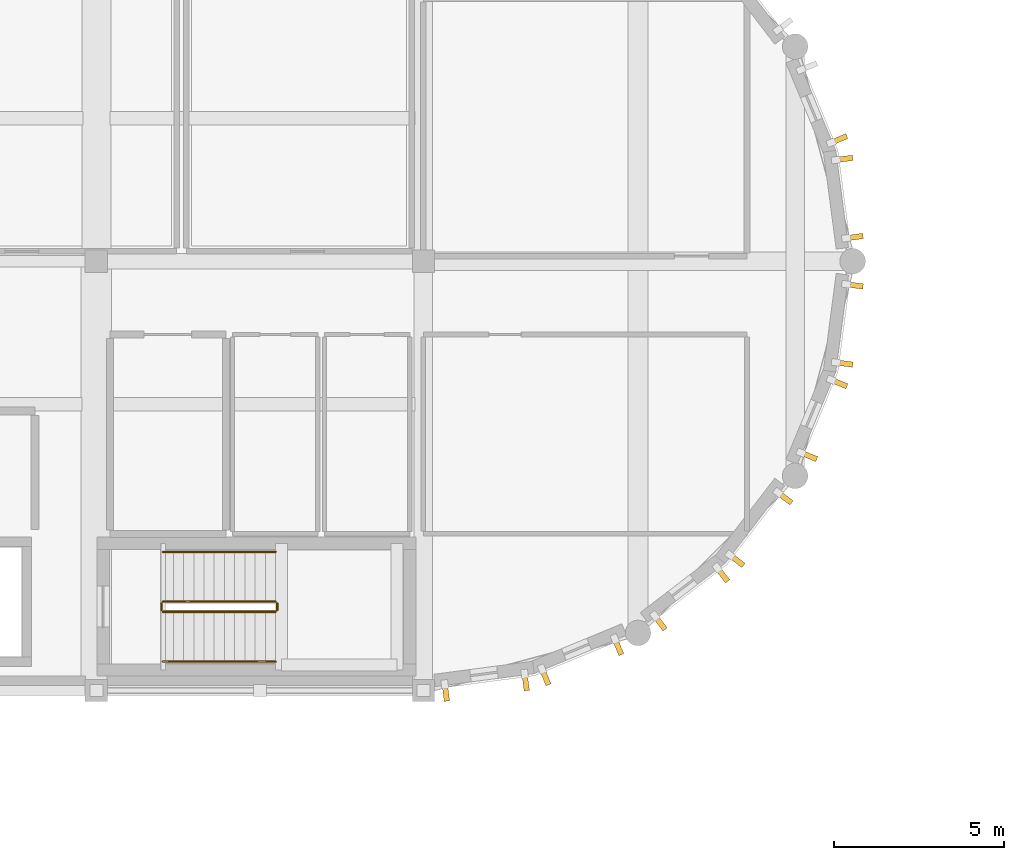
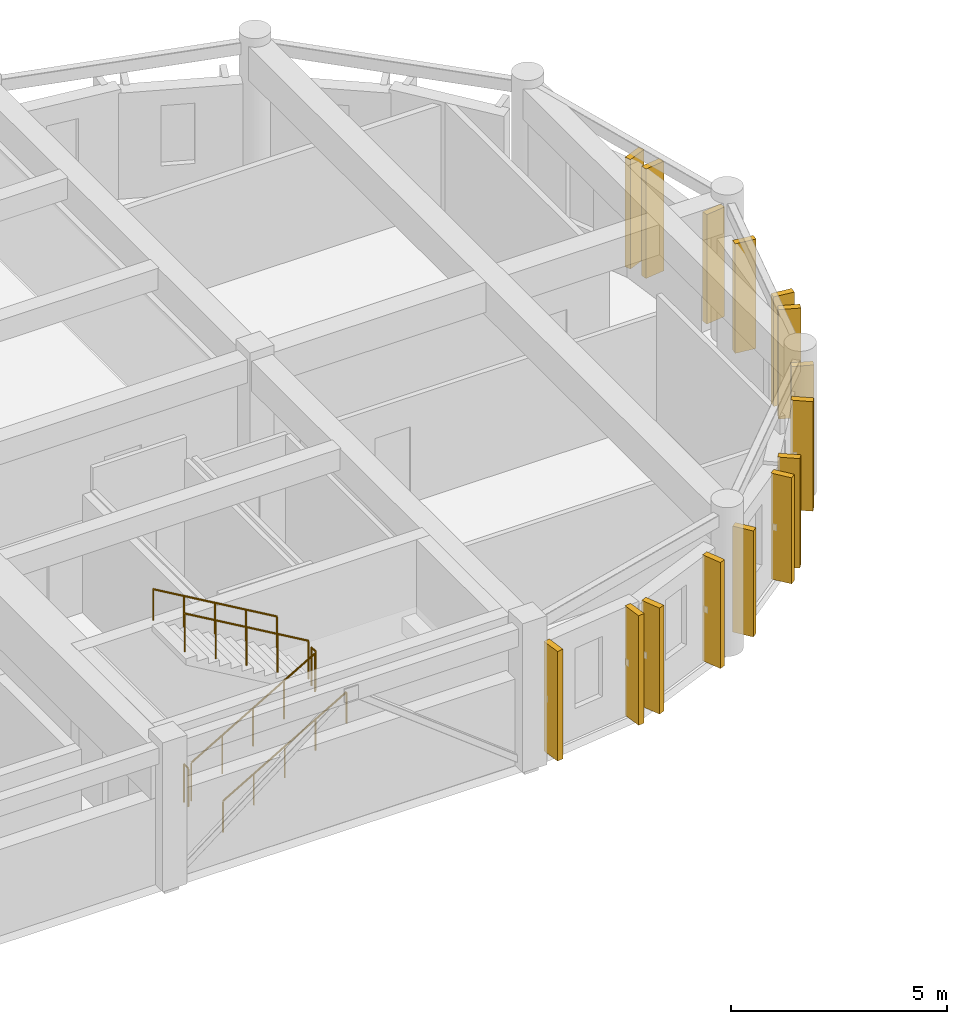
# One storey, part 27 of 31: 15 coverings, 6 railings.
"""IFC4 building model written with IfcOpenShell, lengths in metres."""

from ifc_helpers import new_model, si_unit, direction, frame, origin, origin_2d, place, context, subcontext, project, spatial, rectangle, circle, extrude, material, layer, layer_set, type_object, element, save


model = new_model("IFC4")

# Units and contexts
model_context = context("Model", 3, precision=1e-05, world=origin(), true_north=direction((0.0, 1.0)))
body_context = subcontext(model_context, "Body", "Model", "MODEL_VIEW")
ifc_project = project(units=[si_unit("LENGTHUNIT", "METRE"), si_unit("AREAUNIT", "SQUARE_METRE"), si_unit("VOLUMEUNIT", "CUBIC_METRE"), si_unit("PLANEANGLEUNIT", "RADIAN"), si_unit("MASSUNIT", "GRAM", prefix="KILO")], contexts=[model_context])

# Site, building, storey
site_placement = place(None, origin())
site = spatial("IfcSite", under=ifc_project, at=site_placement, CompositionType="ELEMENT")
building_placement = place(site_placement, origin())
building = spatial("IfcBuilding", under=site, at=building_placement, Name="Tarnavel Promenade Courthouse", CompositionType="ELEMENT")
storey_placement = place(building_placement, frame((0.0, 0.0, 18.60009765625)))
storey = spatial("IfcBuildingStorey", under=building, at=storey_placement, Name="L05", CompositionType="ELEMENT", Elevation=18.60009765625)

# Railings
ifc_material_1 = material(Name="Brushed Bronze Tubular Stair Handrail")
railing_type_1 = type_object("IfcRailingType", Name="Brushed Bronze Tubular Stair Handrail (RL-HND-0900)", PredefinedType="HANDRAIL", material=ifc_material_1)
railing_1_placement = place(storey_placement, frame((94.360107421875, 80.050048828125, 0.1748046875)))
element("IfcRailing", 1, at=railing_1_placement, inside=storey, type_object=railing_type_1, Name="L05 ST-02 stair handrail 1", PredefinedType="HANDRAIL", context=body_context, shape_type="SweptSolid", body=[
    extrude(circle(Radius=0.02392578125, at=origin_2d()), frame((0.0, 0.0, 0.8759765625), z_axis=(0.863760357493, 0.0, 0.503902812876), x_axis=(0.0, 1.0, 0.0)), (0.0, 0.0, 1.0), 3.8203125),
    extrude(circle(Radius=0.02099609375, at=origin_2d()), origin(), (0.0, 0.0, 1.0), 0.851806640625),
    extrude(circle(Radius=0.02099609375, at=origin_2d()), frame((0.824951171875, 0.0, 0.481201171875)), (0.0, 0.0, 1.0), 0.851806640625),
    extrude(circle(Radius=0.02099609375, at=origin_2d()), frame((1.64990234375, 0.0, 0.96240234375)), (0.0, 0.0, 1.0), 0.851806640625),
    extrude(circle(Radius=0.02099609375, at=origin_2d()), frame((2.474853515625, 0.0, 1.44384765625)), (0.0, 0.0, 1.0), 0.851806640625),
    extrude(circle(Radius=0.02099609375, at=origin_2d()), frame((3.2998046875, 0.0, 1.925048828125)), (0.0, 0.0, 1.0), 0.851806640625),
])
railing_2_placement = place(storey_placement, frame((97.659912109375, 83.27001953125, 2.27490234375)))
element("IfcRailing", 2, at=railing_2_placement, inside=storey, type_object=railing_type_1, Name="L05 ST-02 stair handrail 2", PredefinedType="HANDRAIL", context=body_context, shape_type="SweptSolid", body=[
    extrude(circle(Radius=0.02392578125, at=origin_2d()), frame((0.0, 0.0, 0.8759765625), z_axis=(-0.863760357493, 0.0, 0.503902812876), x_axis=(0.0, -1.0, 0.0)), (0.0, 0.0, 1.0), 3.8203125),
    extrude(circle(Radius=0.02099609375, at=origin_2d()), origin(), (0.0, 0.0, 1.0), 0.851806640625),
    extrude(circle(Radius=0.02099609375, at=origin_2d()), frame((-0.824951171875, 0.0, 0.481201171875)), (0.0, 0.0, 1.0), 0.851806640625),
    extrude(circle(Radius=0.02099609375, at=origin_2d()), frame((-1.64990234375, 0.0, 0.96240234375)), (0.0, 0.0, 1.0), 0.851806640625),
    extrude(circle(Radius=0.02099609375, at=origin_2d()), frame((-2.474853515625, 0.0, 1.44384765625)), (0.0, 0.0, 1.0), 0.851806640625),
    extrude(circle(Radius=0.02099609375, at=origin_2d()), frame((-3.2998046875, 0.0, 1.925048828125)), (0.0, 0.0, 1.0), 0.851806640625),
])
ifc_material_2 = material(Name="Painted Architectural Steel Core Stair Guardrail", Category="steel")
railing_type_2 = type_object("IfcRailingType", Name="Painted Architectural Steel Core Stair Guardrail (RL-GRD-1100)", PredefinedType="GUARDRAIL", material=ifc_material_2)
railing_3_placement = place(storey_placement, frame((94.360107421875, 81.510009765625, 0.1748046875)))
element("IfcRailing", 3, at=railing_3_placement, inside=storey, type_object=railing_type_2, Name="L05 ST-02 stair guard 1", PredefinedType="GUARDRAIL", context=body_context, shape_type="SweptSolid", body=[
    extrude(circle(Radius=0.02392578125, at=origin_2d()), frame((0.0, 0.0, 1.076171875), z_axis=(0.863760357493, 0.0, 0.503902812876), x_axis=(0.0, 1.0, 0.0)), (0.0, 0.0, 1.0), 3.8203125),
    extrude(circle(Radius=0.02099609375, at=origin_2d()), origin(), (0.0, 0.0, 1.0), 1.052001953125),
    extrude(circle(Radius=0.02099609375, at=origin_2d()), frame((0.824951171875, 0.0, 0.481201171875)), (0.0, 0.0, 1.0), 1.052001953125),
    extrude(circle(Radius=0.02099609375, at=origin_2d()), frame((1.64990234375, 0.0, 0.96240234375)), (0.0, 0.0, 1.0), 1.052001953125),
    extrude(circle(Radius=0.02099609375, at=origin_2d()), frame((2.474853515625, 0.0, 1.44384765625)), (0.0, 0.0, 1.0), 1.052001953125),
    extrude(circle(Radius=0.02099609375, at=origin_2d()), frame((3.2998046875, 0.0, 1.925048828125)), (0.0, 0.0, 1.0), 1.052001953125),
])
railing_4_placement = place(storey_placement, frame((97.7099609375, 81.56005859375, 2.099853515625)))
element("IfcRailing", 4, at=railing_4_placement, inside=storey, type_object=railing_type_2, Name="L05 ST-02 stair guard 2", PredefinedType="GUARDRAIL", context=body_context, shape_type="SweptSolid", body=[
    extrude(circle(Radius=0.02392578125, at=origin_2d()), frame((0.0, 0.0, 1.076171875), z_axis=(0.0, 1.0, 0.0), x_axis=(-1.0, 0.0, 0.0)), (0.0, 0.0, 1.0), 0.199951171875),
    extrude(circle(Radius=0.02099609375, at=origin_2d()), origin(), (0.0, 0.0, 1.0), 1.052001953125),
    extrude(circle(Radius=0.02099609375, at=origin_2d()), frame((0.0, 0.199951171875, 0.0)), (0.0, 0.0, 1.0), 1.052001953125),
])
railing_5_placement = place(storey_placement, frame((97.659912109375, 81.81005859375, 2.27490234375)))
element("IfcRailing", 5, at=railing_5_placement, inside=storey, type_object=railing_type_2, Name="L05 ST-02 stair guard 3", PredefinedType="GUARDRAIL", context=body_context, shape_type="SweptSolid", body=[
    extrude(circle(Radius=0.02392578125, at=origin_2d()), frame((0.0, 0.0, 1.076171875), z_axis=(-0.863760357493, 0.0, 0.503902812876), x_axis=(0.0, -1.0, 0.0)), (0.0, 0.0, 1.0), 3.8203125),
    extrude(circle(Radius=0.02099609375, at=origin_2d()), origin(), (0.0, 0.0, 1.0), 1.052001953125),
    extrude(circle(Radius=0.02099609375, at=origin_2d()), frame((-0.824951171875, 0.0, 0.481201171875)), (0.0, 0.0, 1.0), 1.052001953125),
    extrude(circle(Radius=0.02099609375, at=origin_2d()), frame((-1.64990234375, 0.0, 0.96240234375)), (0.0, 0.0, 1.0), 1.052001953125),
    extrude(circle(Radius=0.02099609375, at=origin_2d()), frame((-2.474853515625, 0.0, 1.44384765625)), (0.0, 0.0, 1.0), 1.052001953125),
    extrude(circle(Radius=0.02099609375, at=origin_2d()), frame((-3.2998046875, 0.0, 1.925048828125)), (0.0, 0.0, 1.0), 1.052001953125),
])
railing_6_placement = place(storey_placement, frame((94.31005859375, 81.56005859375, 0.0)))
element("IfcRailing", 6, at=railing_6_placement, inside=storey, type_object=railing_type_2, Name="L05 ST-02 stair guard 4", PredefinedType="GUARDRAIL", context=body_context, shape_type="SweptSolid", body=[
    extrude(circle(Radius=0.02392578125, at=origin_2d()), frame((0.0, 0.0, 1.076171875), z_axis=(0.0, 1.0, 0.0), x_axis=(-1.0, 0.0, 0.0)), (0.0, 0.0, 1.0), 0.199951171875),
    extrude(circle(Radius=0.02099609375, at=origin_2d()), origin(), (0.0, 0.0, 1.0), 1.052001953125),
    extrude(circle(Radius=0.02099609375, at=origin_2d()), frame((0.0, 0.199951171875, 0.0)), (0.0, 0.0, 1.0), 1.052001953125),
])

# Coverings
ifc_material_3 = material(Name="Patinated Copper-Bronze Fluted Pier Cladding")
ifc_layer = layer(ifc_material_3, 0.52001953125)
ifc_layer_set = layer_set([ifc_layer], Name="Patinated Copper-Bronze Fluted Pier Cladding")
covering_type = type_object("IfcCoveringType", Name="Patinated Copper-Bronze Fluted Pier Cladding COV-PIER-520 (520 mm)", PredefinedType="CLADDING", material=ifc_layer_set)
for number, where, z_axis, x_axis, name in (
    (7, (102.65771484375, 79.1455078125, 0.0), (0.0, 0.0, 1.0), (0.991444861374, 0.13052619222, 0.0), "L05 E Drum Fluted Copper Pier 0155"),
    (8, (105.001708984375, 79.4541015625, 0.0), (0.0, 0.0, 1.0), (0.991444861374, 0.13052619222, 0.0), "L05 E Drum Fluted Copper Pier 0156"),
):
    element("IfcCovering", number, at=place(storey_placement, frame(where, z_axis=z_axis, x_axis=x_axis)), inside=storey, type_object=covering_type, Name=name, PredefinedType="CLADDING", context=body_context, shape_type="SweptSolid", body=[
        extrude(rectangle(XDim=0.159912109375, YDim=0.52001953125, at=origin_2d()), origin(), (0.0, 0.0, 1.0), 3.090087890625),
    ])
for number, where, z_axis, x_axis, name in (
    (9, (105.573486328125, 79.607177734375, 0.0), (0.0, 0.0, 1.0), (0.923879532511, 0.382683432365, 0.0), "L05 E Drum Fluted Copper Pier 0157"),
    (10, (107.71142578125, 80.492919921875, 0.0), (0.0, 0.0, 1.0), (0.923879532511, 0.382683432365, 0.0), "L05 E Drum Fluted Copper Pier 0158"),
    (11, (108.9365234375, 81.2001953125, 0.0), (0.0, 0.0, 1.0), (0.793353340291, 0.608761429009, 0.0), "L05 E Drum Fluted Copper Pier 0159"),
    (12, (110.772705078125, 82.60888671875, 0.0), (0.0, 0.0, 1.0), (0.793353340291, 0.608761429009, 0.0), "L05 E Drum Fluted Copper Pier 0160"),
):
    element("IfcCovering", number, at=place(storey_placement, frame(where, z_axis=z_axis, x_axis=x_axis)), inside=storey, type_object=covering_type, Name=name, PredefinedType="CLADDING", context=body_context, shape_type="SweptSolid", body=[
        extrude(rectangle(XDim=0.159912109375, YDim=0.52001953125, at=origin_2d()), origin(), (0.0, 0.0, 1.0), 2.989990234375),
    ])
for number, where, z_axis, x_axis, name in (
    (13, (111.191162109375, 83.02734375, 0.0), (0.0, 0.0, 1.0), (0.608761429009, 0.793353340291, 0.0), "L05 E Drum Fluted Copper Pier 0161"),
    (14, (112.599853515625, 84.86328125, 0.0), (0.0, 0.0, 1.0), (0.608761429009, 0.793353340291, 0.0), "L05 E Drum Fluted Copper Pier 0162"),
    (15, (113.30712890625, 86.08837890625, 0.0), (0.0, 0.0, 1.0), (0.382683432365, 0.923879532511, 0.0), "L05 E Drum Fluted Copper Pier 0163"),
    (16, (114.19287109375, 88.2265625, 0.0), (0.0, 0.0, 1.0), (0.382683432365, 0.923879532511, 0.0), "L05 E Drum Fluted Copper Pier 0164"),
    (17, (114.345947265625, 88.798095703125, 0.0), (0.0, 0.0, 1.0), (0.13052619222, 0.991444861374, 0.0), "L05 E Drum Fluted Copper Pier 0165"),
    (18, (114.648193359375, 91.0927734375, 0.0), (0.0, 0.0, 1.0), (0.13052619222, 0.991444861374, 0.0), "L05 E Drum Fluted Copper Pier 0166"),
    (19, (114.648193359375, 92.50732421875, 0.0), (0.0, 0.0, 1.0), (-0.13052619222, 0.991444861374, 0.0), "L05 E Drum Fluted Copper Pier 0167"),
    (20, (114.345947265625, 94.8017578125, 0.0), (0.0, 0.0, 1.0), (-0.13052619222, 0.991444861374, 0.0), "L05 E Drum Fluted Copper Pier 0168"),
    (21, (114.19287109375, 95.373291015625, 0.0), (0.0, 0.0, 1.0), (-0.382683432365, 0.923879532511, 0.0), "L05 E Drum Fluted Copper Pier 0169"),
):
    element("IfcCovering", number, at=place(storey_placement, frame(where, z_axis=z_axis, x_axis=x_axis)), inside=storey, type_object=covering_type, Name=name, PredefinedType="CLADDING", context=body_context, shape_type="SweptSolid", body=[
        extrude(rectangle(XDim=0.159912109375, YDim=0.52001953125, at=origin_2d()), origin(), (0.0, 0.0, 1.0), 3.090087890625),
    ])

save(model, "model.ifc")
